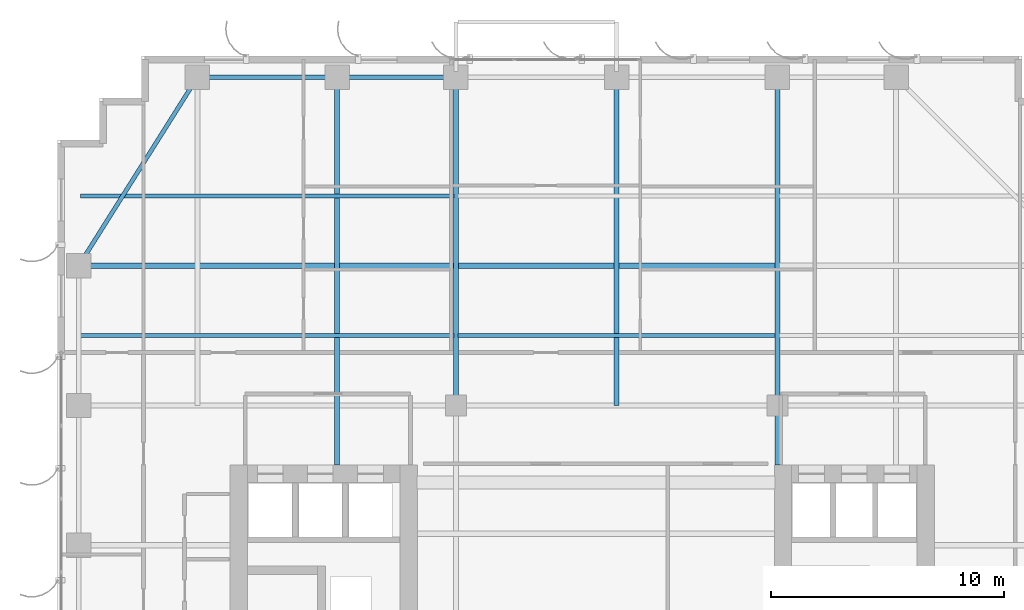
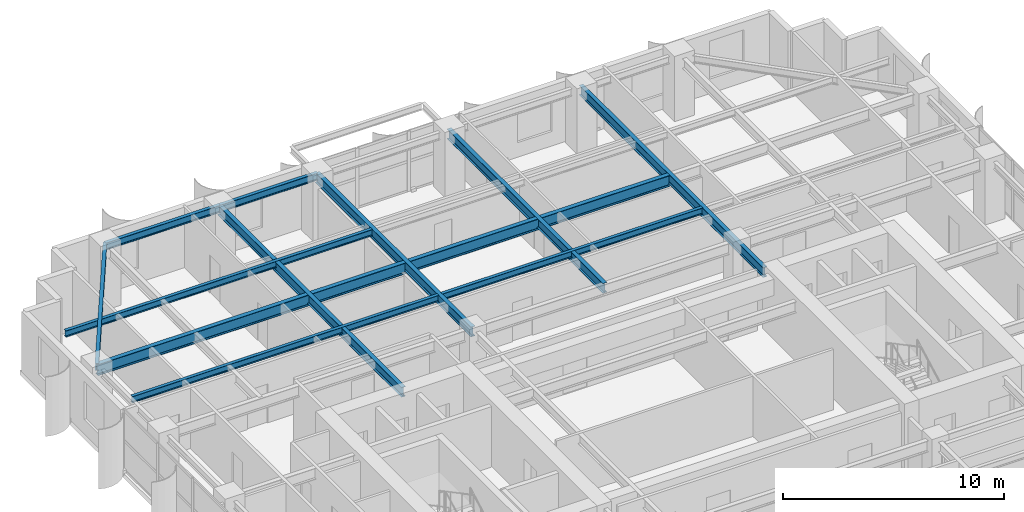
# One storey, part 10 of 23: 12 beams.
"""IFC4 building model written with IfcOpenShell, lengths in metres."""

from ifc_helpers import new_model, si_unit, direction, frame, origin, origin_2d, place, context, subcontext, project, spatial, i_section, extrude, source, transform, mapped, material, material_profile, profile_set, type_object, element, save


model = new_model("IFC4")

# Units and contexts
model_context = context("Model", 3, precision=1e-05, world=origin(), true_north=direction((0.0, 1.0)))
body_context = subcontext(model_context, "Body", "Model", "MODEL_VIEW")
ifc_project = project(units=[si_unit("LENGTHUNIT", "METRE"), si_unit("AREAUNIT", "SQUARE_METRE"), si_unit("VOLUMEUNIT", "CUBIC_METRE"), si_unit("PLANEANGLEUNIT", "RADIAN"), si_unit("MASSUNIT", "GRAM", prefix="KILO")], contexts=[model_context])

# Site, building, storey
site_placement = place(None, origin())
site = spatial("IfcSite", under=ifc_project, at=site_placement, CompositionType="ELEMENT")
building_placement = place(site_placement, origin())
building = spatial("IfcBuilding", under=site, at=building_placement, Name="Khoralis Quay Care Tower", CompositionType="ELEMENT")
storey_placement = place(building_placement, frame((0.0, 0.0, 119.699951171875)))
storey = spatial("IfcBuildingStorey", under=building, at=storey_placement, Name="L31", CompositionType="ELEMENT", Elevation=119.699951171875)

# Beams
ifc_material = material(Name="Steel S355", Category="steel")
ifc_material_profile_1 = material_profile(ifc_material, i_section(OverallWidth=0.179931640625, OverallDepth=0.39990234375, WebThickness=0.008544921875, FlangeThickness=0.013427734375, FilletRadius=0.02099609375, at=origin_2d()), Name="Steel S355")
ifc_profile_set_1 = profile_set([ifc_material_profile_1], Name="Steel S355")
beam_type_1 = type_object("IfcBeamType", Name="BM-IPE400", PredefinedType="SPANDREL", material=ifc_profile_set_1)
shared_shape_1 = source(origin(), body_context, "Body", "SweptSolid", [
    extrude(i_section(OverallWidth=0.179931640625, OverallDepth=0.39990234375, WebThickness=0.008544921875, FlangeThickness=0.013427734375, FilletRadius=0.02099609375, at=origin_2d()), origin(), (0.0, 0.0, 1.0), 6.0),
])
beam_1_placement = place(storey_placement, frame((6.0, 44.10009765625, 3.14013671875), z_axis=(1.0, 0.0, 0.0), x_axis=(0.0, 1.0, 0.0)))
element("IfcBeam", 1, at=beam_1_placement, inside=storey, type_object=beam_type_1, Name="BM-TSP-L31-06", PredefinedType="SPANDREL", context=body_context, shape_type="MappedRepresentation", body=[
    mapped(shared_shape_1, transform((0.0, 0.0, 0.0), scale=1.0)),
])
shared_shape_2 = source(origin(), body_context, "Body", "SweptSolid", [
    extrude(i_section(OverallWidth=0.179931640625, OverallDepth=0.39990234375, WebThickness=0.008544921875, FlangeThickness=0.013427734375, FilletRadius=0.02099609375, at=origin_2d()), origin(), (0.0, 0.0, 1.0), 5.10009765625),
])
beam_2_placement = place(storey_placement, frame((12.0, 44.10009765625, 3.14013671875), z_axis=(1.0, 0.0, 0.0), x_axis=(0.0, 1.0, 0.0)))
element("IfcBeam", 2, at=beam_2_placement, inside=storey, type_object=beam_type_1, Name="BM-TSP-L31-07", PredefinedType="SPANDREL", context=body_context, shape_type="MappedRepresentation", body=[
    mapped(shared_shape_2, transform((0.0, 0.0, 0.0), scale=1.0)),
])
shared_shape_3 = source(origin(), body_context, "Body", "SweptSolid", [
    extrude(i_section(OverallWidth=0.179931640625, OverallDepth=0.39990234375, WebThickness=0.008544921875, FlangeThickness=0.013427734375, FilletRadius=0.02099609375, at=origin_2d()), origin(), (0.0, 0.0, 1.0), 9.572021484375),
])
beam_3_placement = place(storey_placement, frame((6.0, 44.10009765625, 3.14013671875), z_axis=(-0.532815975602, -0.846231136359, 0.0), x_axis=(0.846231136359, -0.532815975602, 0.0)))
element("IfcBeam", 3, at=beam_3_placement, inside=storey, type_object=beam_type_1, Name="BM-TCR-L31-23", PredefinedType="SPANDREL", context=body_context, shape_type="MappedRepresentation", body=[
    mapped(shared_shape_3, transform((0.0, 0.0, 0.0), scale=1.0)),
])
ifc_material_profile_2 = material_profile(ifc_material, i_section(OverallWidth=0.22998046875, OverallDepth=0.616943359375, WebThickness=0.01318359375, FlangeThickness=0.022216796875, FilletRadius=0.01806640625, at=origin_2d()), Name="Steel S355")
ifc_profile_set_2 = profile_set([ifc_material_profile_2], Name="Steel S355")
beam_type_2 = type_object("IfcBeamType", Name="BM-W610X140", PredefinedType="BEAM", material=ifc_profile_set_2)
shared_shape_4 = source(origin(), body_context, "Body", "SweptSolid", [
    extrude(i_section(OverallWidth=0.22998046875, OverallDepth=0.616943359375, WebThickness=0.01318359375, FlangeThickness=0.022216796875, FilletRadius=0.01806640625, at=origin_2d()), origin(), (0.0, 0.0, 1.0), 16.106201171875),
])
beam_4_placement = place(storey_placement, frame((0.89990234375, 36.0, 3.031494140625), z_axis=(1.0, 0.0, 0.0), x_axis=(0.0, 1.0, 0.0)))
element("IfcBeam", 4, at=beam_4_placement, inside=storey, type_object=beam_type_2, Name="BM-TGXW-L31-360", PredefinedType="BEAM", context=body_context, shape_type="MappedRepresentation", body=[
    mapped(shared_shape_4, transform((0.0, 0.0, 0.0), scale=1.0)),
])
shared_shape_5 = source(origin(), body_context, "Body", "SweptSolid", [
    extrude(i_section(OverallWidth=0.22998046875, OverallDepth=0.616943359375, WebThickness=0.01318359375, FlangeThickness=0.022216796875, FilletRadius=0.01806640625, at=origin_2d()), origin(), (0.0, 0.0, 1.0), 13.61181640625),
])
beam_5_placement = place(storey_placement, frame((17.194091796875, 36.0, 3.031494140625), z_axis=(1.0, 0.0, 0.0), x_axis=(0.0, 1.0, 0.0)))
element("IfcBeam", 5, at=beam_5_placement, inside=storey, type_object=beam_type_2, Name="BM-TGCC-L31-360", PredefinedType="BEAM", context=body_context, shape_type="MappedRepresentation", body=[
    mapped(shared_shape_5, transform((0.0, 0.0, 0.0), scale=1.0)),
])
ifc_material_profile_3 = material_profile(ifc_material, i_section(OverallWidth=0.2119140625, OverallDepth=0.5439453125, WebThickness=0.01318359375, FlangeThickness=0.021240234375, FilletRadius=0.01611328125, at=origin_2d()), Name="Steel S355")
ifc_profile_set_3 = profile_set([ifc_material_profile_3], Name="Steel S355")
beam_type_3 = type_object("IfcBeamType", Name="BM-W530X123", PredefinedType="BEAM", material=ifc_profile_set_3)
shared_shape_6 = source(origin(), body_context, "Body", "SweptSolid", [
    extrude(i_section(OverallWidth=0.2119140625, OverallDepth=0.5439453125, WebThickness=0.01318359375, FlangeThickness=0.021240234375, FilletRadius=0.01611328125, at=origin_2d()), origin(), (0.0, 0.0, 1.0), 14.10009765625),
])
for number, where, z_axis, x_axis, name in (
    (6, (17.10009765625, 30.0, 3.068115234375), (0.0, 1.0, 0.0), (-1.0, 0.0, 0.0), "BM-TGYN-L31-171"),
    (7, (24.0, 30.0, 3.068115234375), (0.0, 1.0, 0.0), (-1.0, 0.0, 0.0), "BM-TGYN-L31-240"),
):
    element("IfcBeam", number, at=place(storey_placement, frame(where, z_axis=z_axis, x_axis=x_axis)), inside=storey, type_object=beam_type_3, Name=name, PredefinedType="BEAM", context=body_context, shape_type="MappedRepresentation", body=[
        mapped(shared_shape_6, transform((0.0, 0.0, 0.0), scale=1.0)),
    ])
shared_shape_7 = source(origin(), body_context, "Body", "SweptSolid", [
    extrude(i_section(OverallWidth=0.2119140625, OverallDepth=0.5439453125, WebThickness=0.01318359375, FlangeThickness=0.021240234375, FilletRadius=0.01611328125, at=origin_2d()), origin(), (0.0, 0.0, 1.0), 16.652099609375),
])
for number, where, z_axis, x_axis, name in (
    (8, (12.0, 27.447998046875, 3.068115234375), (0.0, 1.0, 0.0), (-1.0, 0.0, 0.0), "BM-TGYN-L31-120"),
    (9, (30.89990234375, 27.447998046875, 3.068115234375), (0.0, 1.0, 0.0), (-1.0, 0.0, 0.0), "BM-TGYN-L31-309"),
):
    element("IfcBeam", number, at=place(storey_placement, frame(where, z_axis=z_axis, x_axis=x_axis)), inside=storey, type_object=beam_type_3, Name=name, PredefinedType="BEAM", context=body_context, shape_type="MappedRepresentation", body=[
        mapped(shared_shape_7, transform((0.0, 0.0, 0.0), scale=1.0)),
    ])
ifc_material_profile_4 = material_profile(ifc_material, i_section(OverallWidth=0.1708984375, OverallDepth=0.35498046875, WebThickness=0.007080078125, FlangeThickness=0.01171875, FilletRadius=0.012939453125, at=origin_2d()), Name="Steel S355")
ifc_profile_set_4 = profile_set([ifc_material_profile_4], Name="Steel S355")
beam_type_4 = type_object("IfcBeamType", Name="BM-W360X51", PredefinedType="JOIST", material=ifc_profile_set_4)
shared_shape_8 = source(origin(), body_context, "Body", "SweptSolid", [
    extrude(i_section(OverallWidth=0.1708984375, OverallDepth=0.35498046875, WebThickness=0.007080078125, FlangeThickness=0.01171875, FilletRadius=0.012939453125, at=origin_2d()), origin(), (0.0, 0.0, 1.0), 16.030029296875),
])
for number, where, z_axis, x_axis, name in (
    (10, (0.97607421875, 33.0, 3.16259765625), (1.0, 0.0, 0.0), (0.0, 1.0, 0.0), "BM-TJS-L31-28"),
    (11, (0.97607421875, 39.0, 3.16259765625), (1.0, 0.0, 0.0), (0.0, 1.0, 0.0), "BM-TJS-L31-31"),
):
    element("IfcBeam", number, at=place(storey_placement, frame(where, z_axis=z_axis, x_axis=x_axis)), inside=storey, type_object=beam_type_4, Name=name, PredefinedType="JOIST", context=body_context, shape_type="MappedRepresentation", body=[
        mapped(shared_shape_8, transform((0.0, 0.0, 0.0), scale=1.0)),
    ])
shared_shape_9 = source(origin(), body_context, "Body", "SweptSolid", [
    extrude(i_section(OverallWidth=0.1708984375, OverallDepth=0.35498046875, WebThickness=0.007080078125, FlangeThickness=0.01171875, FilletRadius=0.012939453125, at=origin_2d()), origin(), (0.0, 0.0, 1.0), 13.61181640625),
])
beam_6_placement = place(storey_placement, frame((17.194091796875, 33.0, 3.16259765625), z_axis=(1.0, 0.0, 0.0), x_axis=(0.0, 1.0, 0.0)))
element("IfcBeam", 12, at=beam_6_placement, inside=storey, type_object=beam_type_4, Name="BM-TJS-L31-30", PredefinedType="JOIST", context=body_context, shape_type="MappedRepresentation", body=[
    mapped(shared_shape_9, transform((0.0, 0.0, 0.0), scale=1.0)),
])

save(model, "model.ifc")
